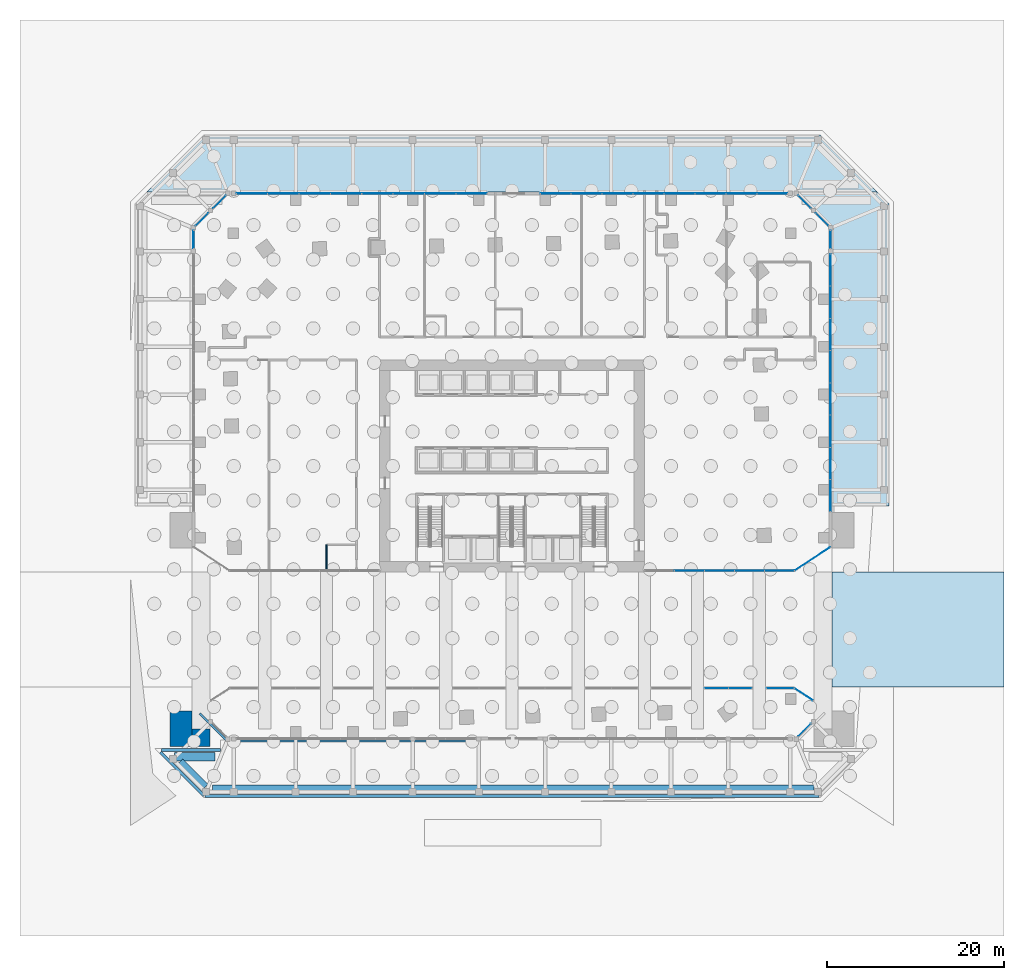
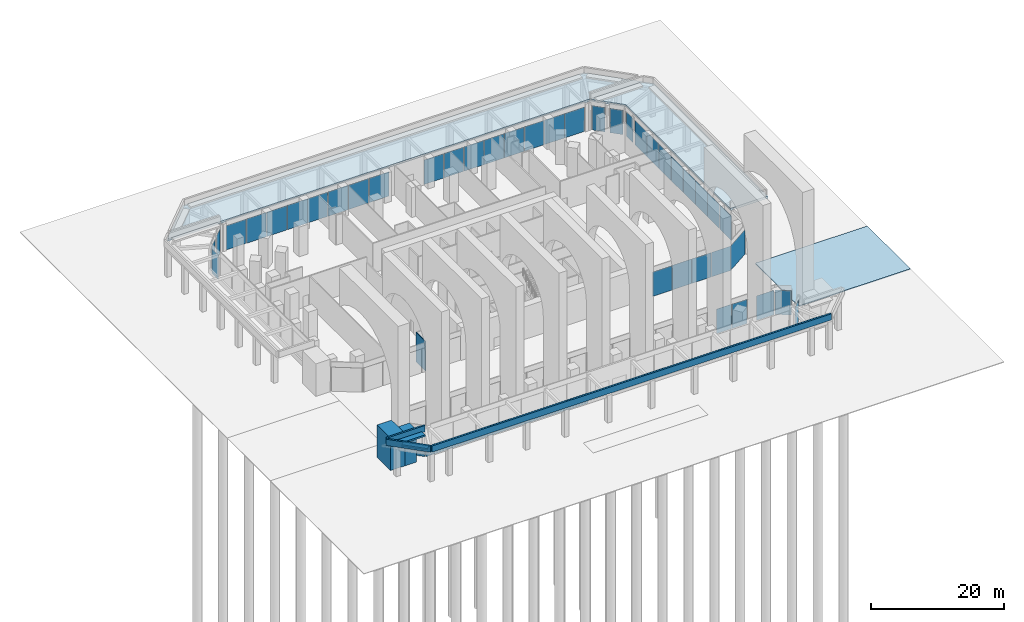
# One storey, part 37 of 46: 40 plates, 11 walls, 3 slabs, 15 elements without a shape of their own.
"""IFC4 building model written with IfcOpenShell, lengths in metres."""

from ifc_helpers import new_model, si_unit, direction, frame, frame_2d, origin, origin_2d, place, context, subcontext, project, spatial, polyline, rectangle, outline, extrude, material, layer, layer_set, type_object, element, aggregate, save


model = new_model("IFC4")

# Units and contexts
model_context = context("Model", 3, precision=1e-05, world=origin(), true_north=direction((0.0, 1.0)))
body_context = subcontext(model_context, "Body", "Model", "MODEL_VIEW")
ifc_project = project(units=[si_unit("LENGTHUNIT", "METRE"), si_unit("AREAUNIT", "SQUARE_METRE"), si_unit("VOLUMEUNIT", "CUBIC_METRE"), si_unit("PLANEANGLEUNIT", "RADIAN"), si_unit("MASSUNIT", "GRAM", prefix="KILO")], contexts=[model_context])

# Site, building, storey
site_placement = place(None, origin())
site = spatial("IfcSite", under=ifc_project, at=site_placement, CompositionType="ELEMENT")
building_placement = place(site_placement, origin())
building = spatial("IfcBuilding", under=site, at=building_placement, Name="Mangrove Gate Tower", CompositionType="ELEMENT")
storey_placement = place(building_placement, origin())
storey = spatial("IfcBuildingStorey", under=building, at=storey_placement, Name="L00", CompositionType="ELEMENT", Elevation=0.0)

# Slabs
ifc_material_1 = material(Name="Concrete C40/50", Category="concrete")
ifc_layer_1 = layer(ifc_material_1, 0.419921875)
ifc_layer_set_1 = layer_set([ifc_layer_1], Name="Canopy slab 420 C40/50")
slab_type_1 = type_object("IfcSlabType", Name="Canopy slab 420 C40/50", PredefinedType="ROOF", material=ifc_layer_set_1)
slab_1_placement = place(storey_placement, frame((0.0, 0.0, 5.080078125)))
element("IfcSlab", 1, at=slab_1_placement, inside=storey, type_object=slab_type_1, Name="Canopy slab E", PredefinedType="ROOF", context=body_context, shape_type="SweptSolid", body=[
    extrude(outline(polyline([(32.199951171875, 31.0), (36.199951171875, 27.0), (36.199951171875, -4.5), (42.699951171875, -4.5), (42.699951171875, 29.69189453125), (41.39208984375, 31.0), (32.199951171875, 31.0)])), origin(), (0.0, 0.0, 1.0), 0.419921875),
])
slab_2_placement = place(storey_placement, frame((0.0, 0.0, 5.080078125)))
element("IfcSlab", 2, at=slab_2_placement, inside=storey, type_object=slab_type_1, Name="Canopy slab N", PredefinedType="ROOF", context=body_context, shape_type="SweptSolid", body=[
    extrude(outline(polyline([(34.89208984375, 37.5), (-34.89208984375, 37.5), (-41.39208984375, 31.0), (41.39208984375, 31.0), (34.89208984375, 37.5)])), origin(), (0.0, 0.0, 1.0), 0.419921875),
])

# Curtain wall, plate
ifc_material_2 = material(Name="Aluminium and glass curtain wall", Category="aluminium")
curtain_wall_type = type_object("IfcCurtainWallType", Name="Podium shopfront glazing wall", PredefinedType="NOTDEFINED", material=ifc_material_2)
curtain_wall_1_placement = place(storey_placement, origin())
curtain_wall_1 = element("IfcCurtainWall", 3, at=curtain_wall_1_placement, inside=storey, type_object=curtain_wall_type, Name="Podium shopfront glazing N0s1", PredefinedType="NOTDEFINED")
ifc_material_3 = material(Name="Laminated low-e glass", Category="glass")
ifc_layer_2 = layer(ifc_material_3, 0.02392578125)
ifc_layer_set_2 = layer_set([ifc_layer_2], Name="Podium shopfront glazing panel 24")
plate_type = type_object("IfcPlateType", Name="Podium shopfront glazing panel 24", PredefinedType="CURTAIN_PANEL", material=ifc_layer_set_2)
plate_1_placement = place(storey_placement, frame((33.03759765625, -25.858642578125, 0.0), z_axis=(0.0, 0.0, 1.0), x_axis=(-0.836658727453, 0.547724541879, 0.0)))
plate_1 = element("IfcPlate", 4, at=plate_1_placement, type_object=plate_type, Name="CWS panel 1.1", PredefinedType="CURTAIN_PANEL", context=body_context, shape_type="SweptSolid", body=[
    extrude(rectangle(XDim=2.46728515625, YDim=0.02392578125, at=origin_2d()), origin(), (0.0, 0.0, 1.0), 4.510009765625),
])
aggregate(curtain_wall_1, [plate_1])

curtain_wall_2_placement = place(storey_placement, origin())
curtain_wall_2 = element("IfcCurtainWall", 5, at=curtain_wall_2_placement, inside=storey, type_object=curtain_wall_type, Name="Podium shopfront glazing N1s1", PredefinedType="NOTDEFINED")
plate_2_placement = place(storey_placement, frame((30.36767578125, -25.14990234375, 0.0), z_axis=(0.0, 0.0, 1.0), x_axis=(-1.0, 0.0, 0.0)))
plate_2 = element("IfcPlate", 6, at=plate_2_placement, type_object=plate_type, Name="CWS panel 1.1", PredefinedType="CURTAIN_PANEL", context=body_context, shape_type="SweptSolid", body=[
    extrude(rectangle(XDim=3.05517578125, YDim=0.02392578125, at=origin_2d()), origin(), (0.0, 0.0, 1.0), 4.510009765625),
])
aggregate(curtain_wall_2, [plate_2])

# Curtain wall, plates
curtain_wall_3_placement = place(storey_placement, origin())
curtain_wall_3 = element("IfcCurtainWall", 7, at=curtain_wall_3_placement, inside=storey, type_object=curtain_wall_type, Name="Podium shopfront glazing N4011s1", PredefinedType="NOTDEFINED")
plate_3_placement = place(storey_placement, frame((25.844970703125, -25.14990234375, 0.0), z_axis=(0.0, 0.0, 1.0), x_axis=(-1.0, 0.0, 0.0)))
plate_3 = element("IfcPlate", 8, at=plate_3_placement, type_object=plate_type, Name="CWS panel 1.1", PredefinedType="CURTAIN_PANEL", context=body_context, shape_type="SweptSolid", body=[
    extrude(rectangle(XDim=2.6298828125, YDim=0.02392578125, at=origin_2d()), origin(), (0.0, 0.0, 1.0), 4.510009765625),
])
plate_4_placement = place(storey_placement, frame((23.155029296875, -25.14990234375, 0.0), z_axis=(0.0, 0.0, 1.0), x_axis=(-1.0, 0.0, 0.0)))
plate_4 = element("IfcPlate", 9, at=plate_4_placement, type_object=plate_type, Name="CWS panel 2.1", PredefinedType="CURTAIN_PANEL", context=body_context, shape_type="SweptSolid", body=[
    extrude(rectangle(XDim=2.6298828125, YDim=0.02392578125, at=origin_2d()), origin(), (0.0, 0.0, 1.0), 4.510009765625),
])
aggregate(curtain_wall_3, [plate_3, plate_4])

# Curtain wall, plate
curtain_wall_4_placement = place(storey_placement, origin())
curtain_wall_4 = element("IfcCurtainWall", 10, at=curtain_wall_4_placement, inside=storey, type_object=curtain_wall_type, Name="Podium shopfront glazing E5s1", PredefinedType="NOTDEFINED")
plate_5_placement = place(storey_placement, frame((33.104736328125, -29.883056640625, 0.0), z_axis=(0.0, 0.0, 1.0), x_axis=(0.707106781187, 0.707106781187, 0.0)))
plate_5 = element("IfcPlate", 11, at=plate_5_placement, type_object=plate_type, Name="CWS panel 1.1", PredefinedType="CURTAIN_PANEL", context=body_context, shape_type="SweptSolid", body=[
    extrude(rectangle(XDim=1.98583984375, YDim=0.02392578125, at=origin_2d()), origin(), (0.0, 0.0, 1.0), 4.510009765625),
])
aggregate(curtain_wall_4, [plate_5])

# Curtain wall, plates
curtain_wall_5_placement = place(storey_placement, origin())
curtain_wall_5 = element("IfcCurtainWall", 12, at=curtain_wall_5_placement, inside=storey, type_object=curtain_wall_type, Name="Podium shopfront glazing S8s1", PredefinedType="NOTDEFINED")
plate_6_placement = place(storey_placement, frame((20.10009765625, -11.85009765625, 0.0), z_axis=(0.0, 0.0, 1.0), x_axis=(1.0, 0.0, 0.0)))
plate_6 = element("IfcPlate", 13, at=plate_6_placement, type_object=plate_type, Name="CWS panel 2.1", PredefinedType="CURTAIN_PANEL", context=body_context, shape_type="SweptSolid", body=[
    extrude(rectangle(XDim=3.340087890625, YDim=0.02392578125, at=origin_2d()), origin(), (0.0, 0.0, 1.0), 4.510009765625),
])
plate_7_placement = place(storey_placement, frame((23.5, -11.85009765625, 0.0), z_axis=(0.0, 0.0, 1.0), x_axis=(1.0, 0.0, 0.0)))
plate_7 = element("IfcPlate", 14, at=plate_7_placement, type_object=plate_type, Name="CWS panel 3.1", PredefinedType="CURTAIN_PANEL", context=body_context, shape_type="SweptSolid", body=[
    extrude(rectangle(XDim=3.340087890625, YDim=0.02392578125, at=origin_2d()), origin(), (0.0, 0.0, 1.0), 4.510009765625),
])
plate_8_placement = place(storey_placement, frame((26.89990234375, -11.85009765625, 0.0), z_axis=(0.0, 0.0, 1.0), x_axis=(1.0, 0.0, 0.0)))
plate_8 = element("IfcPlate", 15, at=plate_8_placement, type_object=plate_type, Name="CWS panel 4.1", PredefinedType="CURTAIN_PANEL", context=body_context, shape_type="SweptSolid", body=[
    extrude(rectangle(XDim=3.340087890625, YDim=0.02392578125, at=origin_2d()), origin(), (0.0, 0.0, 1.0), 4.510009765625),
])
plate_9_placement = place(storey_placement, frame((30.284912109375, -11.85009765625, 0.0), z_axis=(0.0, 0.0, 1.0), x_axis=(1.0, 0.0, 0.0)))
plate_9 = element("IfcPlate", 16, at=plate_9_placement, type_object=plate_type, Name="CWS panel 5.1", PredefinedType="CURTAIN_PANEL", context=body_context, shape_type="SweptSolid", body=[
    extrude(rectangle(XDim=3.31005859375, YDim=0.02392578125, at=origin_2d()), origin(), (0.0, 0.0, 1.0), 4.510009765625),
])
aggregate(curtain_wall_5, [plate_6, plate_7, plate_8, plate_9])

# Curtain wall, plate
curtain_wall_6_placement = place(storey_placement, origin())
curtain_wall_6 = element("IfcCurtainWall", 17, at=curtain_wall_6_placement, inside=storey, type_object=curtain_wall_type, Name="Podium shopfront glazing S9s1", PredefinedType="NOTDEFINED")
plate_10_placement = place(storey_placement, frame((34.002685546875, -10.509521484375, 0.0), z_axis=(0.0, 0.0, 1.0), x_axis=(0.836618528559, 0.54778594147, 0.0)))
plate_10 = element("IfcPlate", 18, at=plate_10_placement, type_object=plate_type, Name="CWS panel 1.1", PredefinedType="CURTAIN_PANEL", context=body_context, shape_type="SweptSolid", body=[
    extrude(rectangle(XDim=4.7744140625, YDim=0.02392578125, at=origin_2d()), origin(), (0.0, 0.0, 1.0), 4.510009765625),
])
aggregate(curtain_wall_6, [plate_10])

# Curtain wall, plates
curtain_wall_7_placement = place(storey_placement, origin())
curtain_wall_7 = element("IfcCurtainWall", 19, at=curtain_wall_7_placement, inside=storey, type_object=curtain_wall_type, Name="Podium shopfront glazing E10s1", PredefinedType="NOTDEFINED")
plate_11_placement = place(storey_placement, frame((36.050048828125, -3.344482421875, 0.0), z_axis=(0.0, 0.0, 1.0), x_axis=(0.0, 1.0, 0.0)))
plate_11 = element("IfcPlate", 20, at=plate_11_placement, type_object=plate_type, Name="CWS panel 1.1", PredefinedType="CURTAIN_PANEL", context=body_context, shape_type="SweptSolid", body=[
    extrude(rectangle(XDim=3.560546875, YDim=0.02392578125, at=origin_2d()), origin(), (0.0, 0.0, 1.0), 4.510009765625),
])
plate_12_placement = place(storey_placement, frame((36.050048828125, 0.291259765625, 0.0), z_axis=(0.0, 0.0, 1.0), x_axis=(0.0, 1.0, 0.0)))
plate_12 = element("IfcPlate", 21, at=plate_12_placement, type_object=plate_type, Name="CWS panel 2.1", PredefinedType="CURTAIN_PANEL", context=body_context, shape_type="SweptSolid", body=[
    extrude(rectangle(XDim=3.590576171875, YDim=0.02392578125, at=origin_2d()), origin(), (0.0, 0.0, 1.0), 4.510009765625),
])
plate_13_placement = place(storey_placement, frame((36.050048828125, 3.941650390625, 0.0), z_axis=(0.0, 0.0, 1.0), x_axis=(0.0, 1.0, 0.0)))
plate_13 = element("IfcPlate", 22, at=plate_13_placement, type_object=plate_type, Name="CWS panel 3.1", PredefinedType="CURTAIN_PANEL", context=body_context, shape_type="SweptSolid", body=[
    extrude(rectangle(XDim=3.590576171875, YDim=0.02392578125, at=origin_2d()), origin(), (0.0, 0.0, 1.0), 4.510009765625),
])
plate_14_placement = place(storey_placement, frame((36.050048828125, 7.59228515625, 0.0), z_axis=(0.0, 0.0, 1.0), x_axis=(0.0, 1.0, 0.0)))
plate_14 = element("IfcPlate", 23, at=plate_14_placement, type_object=plate_type, Name="CWS panel 4.1", PredefinedType="CURTAIN_PANEL", context=body_context, shape_type="SweptSolid", body=[
    extrude(rectangle(XDim=3.590576171875, YDim=0.02392578125, at=origin_2d()), origin(), (0.0, 0.0, 1.0), 4.510009765625),
])
plate_15_placement = place(storey_placement, frame((36.050048828125, 11.242919921875, 0.0), z_axis=(0.0, 0.0, 1.0), x_axis=(0.0, 1.0, 0.0)))
plate_15 = element("IfcPlate", 24, at=plate_15_placement, type_object=plate_type, Name="CWS panel 5.1", PredefinedType="CURTAIN_PANEL", context=body_context, shape_type="SweptSolid", body=[
    extrude(rectangle(XDim=3.590576171875, YDim=0.02392578125, at=origin_2d()), origin(), (0.0, 0.0, 1.0), 4.510009765625),
])
plate_16_placement = place(storey_placement, frame((36.050048828125, 14.8935546875, 0.0), z_axis=(0.0, 0.0, 1.0), x_axis=(0.0, 1.0, 0.0)))
plate_16 = element("IfcPlate", 25, at=plate_16_placement, type_object=plate_type, Name="CWS panel 6.1", PredefinedType="CURTAIN_PANEL", context=body_context, shape_type="SweptSolid", body=[
    extrude(rectangle(XDim=3.590576171875, YDim=0.02392578125, at=origin_2d()), origin(), (0.0, 0.0, 1.0), 4.510009765625),
])
plate_17_placement = place(storey_placement, frame((36.050048828125, 18.544189453125, 0.0), z_axis=(0.0, 0.0, 1.0), x_axis=(0.0, 1.0, 0.0)))
plate_17 = element("IfcPlate", 26, at=plate_17_placement, type_object=plate_type, Name="CWS panel 7.1", PredefinedType="CURTAIN_PANEL", context=body_context, shape_type="SweptSolid", body=[
    extrude(rectangle(XDim=3.590576171875, YDim=0.02392578125, at=origin_2d()), origin(), (0.0, 0.0, 1.0), 4.510009765625),
])
plate_18_placement = place(storey_placement, frame((36.050048828125, 22.1796875, 0.0), z_axis=(0.0, 0.0, 1.0), x_axis=(0.0, 1.0, 0.0)))
plate_18 = element("IfcPlate", 27, at=plate_18_placement, type_object=plate_type, Name="CWS panel 8.1", PredefinedType="CURTAIN_PANEL", context=body_context, shape_type="SweptSolid", body=[
    extrude(rectangle(XDim=3.560546875, YDim=0.02392578125, at=origin_2d()), origin(), (0.0, 0.0, 1.0), 4.510009765625),
])
aggregate(curtain_wall_7, [plate_11, plate_12, plate_13, plate_14, plate_15, plate_16, plate_17, plate_18])

# Curtain wall, plate
curtain_wall_8_placement = place(storey_placement, origin())
curtain_wall_8 = element("IfcCurtainWall", 28, at=curtain_wall_8_placement, inside=storey, type_object=curtain_wall_type, Name="Podium shopfront glazing E10s2", PredefinedType="NOTDEFINED")
plate_19_placement = place(storey_placement, frame((36.050048828125, 25.630859375, 0.0), z_axis=(0.0, 0.0, 1.0), x_axis=(0.0, 1.0, 0.0)))
plate_19 = element("IfcPlate", 29, at=plate_19_placement, type_object=plate_type, Name="CWS panel 1.1", PredefinedType="CURTAIN_PANEL", context=body_context, shape_type="SweptSolid", body=[
    extrude(rectangle(XDim=1.981689453125, YDim=0.02392578125, at=origin_2d()), origin(), (0.0, 0.0, 1.0), 4.510009765625),
])
aggregate(curtain_wall_8, [plate_19])

curtain_wall_9_placement = place(storey_placement, origin())
curtain_wall_9 = element("IfcCurtainWall", 30, at=curtain_wall_9_placement, inside=storey, type_object=curtain_wall_type, Name="Podium shopfront glazing E11s1", PredefinedType="NOTDEFINED")
plate_20_placement = place(storey_placement, frame((35.0830078125, 27.90478515625, 0.0), z_axis=(0.0, 0.0, 1.0), x_axis=(-0.707106781187, 0.707106781187, 0.0)))
plate_20 = element("IfcPlate", 31, at=plate_20_placement, type_object=plate_type, Name="CWS panel 1.1", PredefinedType="CURTAIN_PANEL", context=body_context, shape_type="SweptSolid", body=[
    extrude(rectangle(XDim=1.98583984375, YDim=0.02392578125, at=origin_2d()), origin(), (0.0, 0.0, 1.0), 4.510009765625),
])
aggregate(curtain_wall_9, [plate_20])

curtain_wall_10_placement = place(storey_placement, origin())
curtain_wall_10 = element("IfcCurtainWall", 32, at=curtain_wall_10_placement, inside=storey, type_object=curtain_wall_type, Name="Podium shopfront glazing E11s2", PredefinedType="NOTDEFINED")
plate_21_placement = place(storey_placement, frame((33.104736328125, 29.883056640625, 0.0), z_axis=(0.0, 0.0, 1.0), x_axis=(-0.707106781187, 0.707106781187, 0.0)))
plate_21 = element("IfcPlate", 33, at=plate_21_placement, type_object=plate_type, Name="CWS panel 1.1", PredefinedType="CURTAIN_PANEL", context=body_context, shape_type="SweptSolid", body=[
    extrude(rectangle(XDim=1.98583984375, YDim=0.02392578125, at=origin_2d()), origin(), (0.0, 0.0, 1.0), 4.510009765625),
])
aggregate(curtain_wall_10, [plate_21])

# Curtain wall, plates
curtain_wall_11_placement = place(storey_placement, origin())
curtain_wall_11 = element("IfcCurtainWall", 34, at=curtain_wall_11_placement, inside=storey, type_object=curtain_wall_type, Name="Podium shopfront glazing N12s1", PredefinedType="NOTDEFINED")
plate_22_placement = place(storey_placement, frame((29.453857421875, 30.85009765625, 0.0), z_axis=(0.0, 0.0, 1.0), x_axis=(-1.0, 0.0, 0.0)))
plate_22 = element("IfcPlate", 35, at=plate_22_placement, type_object=plate_type, Name="CWS panel 1.1", PredefinedType="CURTAIN_PANEL", context=body_context, shape_type="SweptSolid", body=[
    extrude(rectangle(XDim=3.41259765625, YDim=0.02392578125, at=origin_2d()), origin(), (0.0, 0.0, 1.0), 4.510009765625),
])
plate_23_placement = place(storey_placement, frame((25.96630859375, 30.85009765625, 0.0), z_axis=(0.0, 0.0, 1.0), x_axis=(-1.0, 0.0, 0.0)))
plate_23 = element("IfcPlate", 36, at=plate_23_placement, type_object=plate_type, Name="CWS panel 2.1", PredefinedType="CURTAIN_PANEL", context=body_context, shape_type="SweptSolid", body=[
    extrude(rectangle(XDim=3.4423828125, YDim=0.02392578125, at=origin_2d()), origin(), (0.0, 0.0, 1.0), 4.510009765625),
])
plate_24_placement = place(storey_placement, frame((22.4638671875, 30.85009765625, 0.0), z_axis=(0.0, 0.0, 1.0), x_axis=(-1.0, 0.0, 0.0)))
plate_24 = element("IfcPlate", 37, at=plate_24_placement, type_object=plate_type, Name="CWS panel 3.1", PredefinedType="CURTAIN_PANEL", context=body_context, shape_type="SweptSolid", body=[
    extrude(rectangle(XDim=3.4423828125, YDim=0.02392578125, at=origin_2d()), origin(), (0.0, 0.0, 1.0), 4.510009765625),
])
plate_25_placement = place(storey_placement, frame((18.961181640625, 30.85009765625, 0.0), z_axis=(0.0, 0.0, 1.0), x_axis=(-1.0, 0.0, 0.0)))
plate_25 = element("IfcPlate", 38, at=plate_25_placement, type_object=plate_type, Name="CWS panel 4.1", PredefinedType="CURTAIN_PANEL", context=body_context, shape_type="SweptSolid", body=[
    extrude(rectangle(XDim=3.4423828125, YDim=0.02392578125, at=origin_2d()), origin(), (0.0, 0.0, 1.0), 4.510009765625),
])
plate_26_placement = place(storey_placement, frame((15.458740234375, 30.85009765625, 0.0), z_axis=(0.0, 0.0, 1.0), x_axis=(-1.0, 0.0, 0.0)))
plate_26 = element("IfcPlate", 39, at=plate_26_placement, type_object=plate_type, Name="CWS panel 5.1", PredefinedType="CURTAIN_PANEL", context=body_context, shape_type="SweptSolid", body=[
    extrude(rectangle(XDim=3.4423828125, YDim=0.02392578125, at=origin_2d()), origin(), (0.0, 0.0, 1.0), 4.510009765625),
])
plate_27_placement = place(storey_placement, frame((11.956298828125, 30.85009765625, 0.0), z_axis=(0.0, 0.0, 1.0), x_axis=(-1.0, 0.0, 0.0)))
plate_27 = element("IfcPlate", 40, at=plate_27_placement, type_object=plate_type, Name="CWS panel 6.1", PredefinedType="CURTAIN_PANEL", context=body_context, shape_type="SweptSolid", body=[
    extrude(rectangle(XDim=3.4423828125, YDim=0.02392578125, at=origin_2d()), origin(), (0.0, 0.0, 1.0), 4.510009765625),
])
plate_28_placement = place(storey_placement, frame((8.453857421875, 30.85009765625, 0.0), z_axis=(0.0, 0.0, 1.0), x_axis=(-1.0, 0.0, 0.0)))
plate_28 = element("IfcPlate", 41, at=plate_28_placement, type_object=plate_type, Name="CWS panel 7.1", PredefinedType="CURTAIN_PANEL", context=body_context, shape_type="SweptSolid", body=[
    extrude(rectangle(XDim=3.4423828125, YDim=0.02392578125, at=origin_2d()), origin(), (0.0, 0.0, 1.0), 4.510009765625),
])
plate_29_placement = place(storey_placement, frame((4.96630859375, 30.85009765625, 0.0), z_axis=(0.0, 0.0, 1.0), x_axis=(-1.0, 0.0, 0.0)))
plate_29 = element("IfcPlate", 42, at=plate_29_placement, type_object=plate_type, Name="CWS panel 8.1", PredefinedType="CURTAIN_PANEL", context=body_context, shape_type="SweptSolid", body=[
    extrude(rectangle(XDim=3.41259765625, YDim=0.02392578125, at=origin_2d()), origin(), (0.0, 0.0, 1.0), 4.510009765625),
])
aggregate(curtain_wall_11, [plate_22, plate_23, plate_24, plate_25, plate_26, plate_27, plate_28, plate_29])

curtain_wall_12_placement = place(storey_placement, origin())
curtain_wall_12 = element("IfcCurtainWall", 43, at=curtain_wall_12_placement, inside=storey, type_object=curtain_wall_type, Name="Podium shopfront glazing N12s2", PredefinedType="NOTDEFINED")
plate_30_placement = place(storey_placement, frame((-4.59130859375, 30.85009765625, 0.0), z_axis=(0.0, 0.0, 1.0), x_axis=(-1.0, 0.0, 0.0)))
plate_30 = element("IfcPlate", 44, at=plate_30_placement, type_object=plate_type, Name="CWS panel 1.1", PredefinedType="CURTAIN_PANEL", context=body_context, shape_type="SweptSolid", body=[
    extrude(rectangle(XDim=3.46240234375, YDim=0.02392578125, at=origin_2d()), origin(), (0.0, 0.0, 1.0), 4.510009765625),
])
plate_31_placement = place(storey_placement, frame((-8.128662109375, 30.85009765625, 0.0), z_axis=(0.0, 0.0, 1.0), x_axis=(-1.0, 0.0, 0.0)))
plate_31 = element("IfcPlate", 45, at=plate_31_placement, type_object=plate_type, Name="CWS panel 2.1", PredefinedType="CURTAIN_PANEL", context=body_context, shape_type="SweptSolid", body=[
    extrude(rectangle(XDim=3.492431640625, YDim=0.02392578125, at=origin_2d()), origin(), (0.0, 0.0, 1.0), 4.510009765625),
])
plate_32_placement = place(storey_placement, frame((-11.68115234375, 30.85009765625, 0.0), z_axis=(0.0, 0.0, 1.0), x_axis=(-1.0, 0.0, 0.0)))
plate_32 = element("IfcPlate", 46, at=plate_32_placement, type_object=plate_type, Name="CWS panel 3.1", PredefinedType="CURTAIN_PANEL", context=body_context, shape_type="SweptSolid", body=[
    extrude(rectangle(XDim=3.492431640625, YDim=0.02392578125, at=origin_2d()), origin(), (0.0, 0.0, 1.0), 4.510009765625),
])
plate_33_placement = place(storey_placement, frame((-15.233642578125, 30.85009765625, 0.0), z_axis=(0.0, 0.0, 1.0), x_axis=(-1.0, 0.0, 0.0)))
plate_33 = element("IfcPlate", 47, at=plate_33_placement, type_object=plate_type, Name="CWS panel 4.1", PredefinedType="CURTAIN_PANEL", context=body_context, shape_type="SweptSolid", body=[
    extrude(rectangle(XDim=3.492431640625, YDim=0.02392578125, at=origin_2d()), origin(), (0.0, 0.0, 1.0), 4.510009765625),
])
plate_34_placement = place(storey_placement, frame((-18.7861328125, 30.85009765625, 0.0), z_axis=(0.0, 0.0, 1.0), x_axis=(-1.0, 0.0, 0.0)))
plate_34 = element("IfcPlate", 48, at=plate_34_placement, type_object=plate_type, Name="CWS panel 5.1", PredefinedType="CURTAIN_PANEL", context=body_context, shape_type="SweptSolid", body=[
    extrude(rectangle(XDim=3.492431640625, YDim=0.02392578125, at=origin_2d()), origin(), (0.0, 0.0, 1.0), 4.510009765625),
])
plate_35_placement = place(storey_placement, frame((-22.3388671875, 30.85009765625, 0.0), z_axis=(0.0, 0.0, 1.0), x_axis=(-1.0, 0.0, 0.0)))
plate_35 = element("IfcPlate", 49, at=plate_35_placement, type_object=plate_type, Name="CWS panel 6.1", PredefinedType="CURTAIN_PANEL", context=body_context, shape_type="SweptSolid", body=[
    extrude(rectangle(XDim=3.492431640625, YDim=0.02392578125, at=origin_2d()), origin(), (0.0, 0.0, 1.0), 4.510009765625),
])
plate_36_placement = place(storey_placement, frame((-25.891357421875, 30.85009765625, 0.0), z_axis=(0.0, 0.0, 1.0), x_axis=(-1.0, 0.0, 0.0)))
plate_36 = element("IfcPlate", 50, at=plate_36_placement, type_object=plate_type, Name="CWS panel 7.1", PredefinedType="CURTAIN_PANEL", context=body_context, shape_type="SweptSolid", body=[
    extrude(rectangle(XDim=3.492431640625, YDim=0.02392578125, at=origin_2d()), origin(), (0.0, 0.0, 1.0), 4.510009765625),
])
plate_37_placement = place(storey_placement, frame((-29.4287109375, 30.85009765625, 0.0), z_axis=(0.0, 0.0, 1.0), x_axis=(-1.0, 0.0, 0.0)))
plate_37 = element("IfcPlate", 51, at=plate_37_placement, type_object=plate_type, Name="CWS panel 8.1", PredefinedType="CURTAIN_PANEL", context=body_context, shape_type="SweptSolid", body=[
    extrude(rectangle(XDim=3.46240234375, YDim=0.02392578125, at=origin_2d()), origin(), (0.0, 0.0, 1.0), 4.510009765625),
])
aggregate(curtain_wall_12, [plate_30, plate_31, plate_32, plate_33, plate_34, plate_35, plate_36, plate_37])

# Curtain wall, plate
curtain_wall_13_placement = place(storey_placement, origin())
curtain_wall_13 = element("IfcCurtainWall", 52, at=curtain_wall_13_placement, inside=storey, type_object=curtain_wall_type, Name="Podium shopfront glazing N13s1", PredefinedType="NOTDEFINED")
plate_38_placement = place(storey_placement, frame((-33.104736328125, 29.883056640625, 0.0), z_axis=(0.0, 0.0, 1.0), x_axis=(-0.707106781187, -0.707106781187, 0.0)))
plate_38 = element("IfcPlate", 53, at=plate_38_placement, type_object=plate_type, Name="CWS panel 1.1", PredefinedType="CURTAIN_PANEL", context=body_context, shape_type="SweptSolid", body=[
    extrude(rectangle(XDim=1.98583984375, YDim=0.02392578125, at=origin_2d()), origin(), (0.0, 0.0, 1.0), 4.510009765625),
])
aggregate(curtain_wall_13, [plate_38])

curtain_wall_14_placement = place(storey_placement, origin())
curtain_wall_14 = element("IfcCurtainWall", 54, at=curtain_wall_14_placement, inside=storey, type_object=curtain_wall_type, Name="Podium shopfront glazing N13s2", PredefinedType="NOTDEFINED")
plate_39_placement = place(storey_placement, frame((-35.0830078125, 27.90478515625, 0.0), z_axis=(0.0, 0.0, 1.0), x_axis=(-0.707106781187, -0.707106781187, 0.0)))
plate_39 = element("IfcPlate", 55, at=plate_39_placement, type_object=plate_type, Name="CWS panel 1.1", PredefinedType="CURTAIN_PANEL", context=body_context, shape_type="SweptSolid", body=[
    extrude(rectangle(XDim=1.98583984375, YDim=0.02392578125, at=origin_2d()), origin(), (0.0, 0.0, 1.0), 4.510009765625),
])
aggregate(curtain_wall_14, [plate_39])

curtain_wall_15_placement = place(storey_placement, origin())
curtain_wall_15 = element("IfcCurtainWall", 56, at=curtain_wall_15_placement, inside=storey, type_object=curtain_wall_type, Name="Podium shopfront glazing W14s1", PredefinedType="NOTDEFINED")
plate_40_placement = place(storey_placement, frame((-36.050048828125, 25.630859375, 0.0), z_axis=(0.0, 0.0, 1.0), x_axis=(0.0, -1.0, 0.0)))
plate_40 = element("IfcPlate", 57, at=plate_40_placement, type_object=plate_type, Name="CWS panel 1.1", PredefinedType="CURTAIN_PANEL", context=body_context, shape_type="SweptSolid", body=[
    extrude(rectangle(XDim=1.981689453125, YDim=0.02392578125, at=origin_2d()), origin(), (0.0, 0.0, 1.0), 4.510009765625),
])
aggregate(curtain_wall_15, [plate_40])

# Slab
ifc_material_4 = material(Name="Asphalt")
ifc_layer_3 = layer(ifc_material_4, 0.0400390625, Name="Wearing course")
ifc_material_5 = material(Name="Asphalt binder")
ifc_layer_4 = layer(ifc_material_5, 0.050048828125, Name="Binder course")
ifc_material_6 = material(Name="Compacted crushed stone", Category="masonry")
ifc_layer_5 = layer(ifc_material_6, 0.06005859375, Name="Sub-base")
ifc_layer_set_3 = layer_set([ifc_layer_3, ifc_layer_4, ifc_layer_5], Name="Street paving 150 asphalt")
slab_type_2 = type_object("IfcSlabType", Name="Street paving 150 asphalt", PredefinedType="USERDEFINED", material=ifc_layer_set_3)
slab_3_placement = place(storey_placement, frame((0.0, 0.0, -0.14990234375)))
element("IfcSlab", 58, at=slab_3_placement, inside=storey, type_object=slab_type_2, Name="STREET PAVING E", ObjectType="PAVING", PredefinedType="USERDEFINED", context=body_context, shape_type="SweptSolid", body=[
    extrude(outline(polyline([(55.699951171875, -25.0), (36.199951171875, -25.0), (36.199951171875, -12.0), (55.699951171875, -12.0), (55.699951171875, -25.0)])), origin(), (0.0, 0.0, 1.0), 0.14990234375),
])

# Walls
ifc_material_7 = material(Name="Limestone", Category="masonry")
ifc_layer_6 = layer(ifc_material_7, 0.300048828125, Name="Limestone canopy parapet")
ifc_layer_set_4 = layer_set([ifc_layer_6], Name="Canopy parapet 300 limestone")
wall_type_1 = type_object("IfcWallType", Name="Canopy parapet 300 limestone", PredefinedType="PARAPET", material=ifc_layer_set_4)
wall_1_placement = place(storey_placement, frame((-33.0, -32.14990234375, 5.5), z_axis=(0.0, 0.0, 1.0), x_axis=(-1.0, 0.0, 0.0)))
element("IfcWall", 59, at=wall_1_placement, inside=storey, type_object=wall_type_1, Name="Canopy parapet S 0.1", PredefinedType="PARAPET", context=body_context, shape_type="SweptSolid", body=[
    extrude(rectangle(XDim=6.66796875, YDim=0.300048828125, at=frame_2d((3.333984375, 0.0))), origin(), (0.0, 0.0, 1.0), 1.14990234375),
])
wall_2_placement = place(storey_placement, frame((-39.77392578125, -32.406005859375, 5.5), z_axis=(0.0, 0.0, 1.0), x_axis=(0.707106781187, -0.707106781187, 0.0)))
element("IfcWall", 60, at=wall_2_placement, inside=storey, type_object=wall_type_1, Name="Canopy parapet S 0.2", PredefinedType="PARAPET", context=body_context, shape_type="SweptSolid", body=[
    extrude(rectangle(XDim=6.929443359375, YDim=0.300048828125, at=frame_2d((3.46484375, 0.0))), origin(), (0.0, 0.0, 1.0), 1.14990234375),
])
wall_3_placement = place(storey_placement, frame((-34.76806640625, -37.35009765625, 5.5), z_axis=(0.0, 0.0, 1.0), x_axis=(1.0, 0.0, 0.0)))
element("IfcWall", 61, at=wall_3_placement, inside=storey, type_object=wall_type_1, Name="Canopy parapet S 0.3", PredefinedType="PARAPET", context=body_context, shape_type="SweptSolid", body=[
    extrude(rectangle(XDim=69.5361328125, YDim=0.300048828125, at=frame_2d((34.76806640625, 0.0))), origin(), (0.0, 0.0, 1.0), 1.14990234375),
])
ifc_material_8 = material(Name="Green roof substrate in aluminium tray", Category="aluminium")
ifc_layer_7 = layer(ifc_material_8, 1.0, Name="Planting bed")
ifc_layer_set_5 = layer_set([ifc_layer_7], Name="Canopy planter bed 1000x300")
wall_type_2 = type_object("IfcWallType", Name="Canopy planter bed 1000x300", PredefinedType="SOLIDWALL", material=ifc_layer_set_5)
wall_4_placement = place(storey_placement, frame((-33.60009765625, -32.89990234375, 5.5), z_axis=(0.0, 0.0, 1.0), x_axis=(-1.0, 0.0, 0.0)))
element("IfcWall", 62, at=wall_4_placement, inside=storey, type_object=wall_type_2, Name="CANOPY PLANTING S 0.1", PredefinedType="SOLIDWALL", context=body_context, shape_type="SweptSolid", body=[
    extrude(rectangle(XDim=4.617919921875, YDim=1.0, at=frame_2d((2.30908203125, 0.0))), origin(), (0.0, 0.0, 1.0), 0.300048828125),
])
wall_5_placement = place(storey_placement, frame((-37.616943359375, -33.501953125, 5.5), z_axis=(0.0, 0.0, 1.0), x_axis=(0.707076483319, -0.707137077756, 0.0)))
element("IfcWall", 63, at=wall_5_placement, inside=storey, type_object=wall_type_2, Name="CANOPY PLANTING S 0.2", PredefinedType="SOLIDWALL", context=body_context, shape_type="SweptSolid", body=[
    extrude(rectangle(XDim=4.029052734375, YDim=1.0, at=frame_2d((2.0146484375, 0.0))), origin(), (0.0, 0.0, 1.0), 0.300048828125),
])
wall_6_placement = place(storey_placement, frame((-33.91796875, -36.60009765625, 5.5), z_axis=(0.0, 0.0, 1.0), x_axis=(1.0, 0.0, 0.0)))
element("IfcWall", 64, at=wall_6_placement, inside=storey, type_object=wall_type_2, Name="CANOPY PLANTING S 0.3", PredefinedType="SOLIDWALL", context=body_context, shape_type="SweptSolid", body=[
    extrude(rectangle(XDim=68.0859375, YDim=1.0, at=frame_2d((34.04296875, 0.0))), origin(), (0.0, 0.0, 1.0), 0.300048828125),
])
ifc_material_9 = material(Name="Gypsum board on steel stud, EI 60", Category="steel")
ifc_layer_8 = layer(ifc_material_9, 0.14990234375)
ifc_layer_set_6 = layer_set([ifc_layer_8], Name="Party wall 150 EI 60")
wall_type_3 = type_object("IfcWallType", Name="Party wall 150 EI 60", PredefinedType="PARTITIONING", material=ifc_layer_set_6)
wall_7_placement = place(storey_placement, frame((-21.0, -11.699951171875, 0.0), z_axis=(0.0, 0.0, 1.0), x_axis=(0.0, 1.0, 0.0)))
element("IfcWall", 65, at=wall_7_placement, inside=storey, type_object=wall_type_3, Name="WALL-L00-002", PredefinedType="PARTITIONING", context=body_context, shape_type="SweptSolid", body=[
    extrude(rectangle(XDim=2.800048828125, YDim=0.14990234375, at=frame_2d((1.39990234375, 0.0))), origin(), (0.0, 0.0, 1.0), 5.449951171875),
])
ifc_layer_9 = layer(ifc_material_7, 0.25, Name="Limestone plinth course")
ifc_layer_set_7 = layer_set([ifc_layer_9], Name="Podium plinth 250 limestone")
wall_type_4 = type_object("IfcWallType", Name="Podium plinth 250 limestone", PredefinedType="STANDARD", material=ifc_layer_set_7)
wall_8_placement = place(storey_placement, frame((-35.368896484375, -28.008056640625, 0.0), z_axis=(0.0, 0.0, 1.0), x_axis=(0.707218860243, -0.706994684362, 0.0)))
element("IfcWall", 66, at=wall_8_placement, inside=storey, type_object=wall_type_4, Name="Podium plinth W 2", PredefinedType="STANDARD", context=body_context, shape_type="SweptSolid", body=[
    extrude(rectangle(XDim=4.356201171875, YDim=0.25, at=frame_2d((2.17822265625, 0.0))), origin(), (0.0, 0.0, 1.0), 0.89990234375),
])
wall_9_placement = place(storey_placement, frame((-32.199951171875, -31.125, 0.0), z_axis=(0.0, 0.0, 1.0), x_axis=(1.0, 0.0, 0.0)))
element("IfcWall", 67, at=wall_9_placement, inside=storey, type_object=wall_type_4, Name="Podium plinth S 1", PredefinedType="STANDARD", context=body_context, shape_type="SweptSolid", body=[
    extrude(rectangle(XDim=28.199951171875, YDim=0.25, at=frame_2d((14.10009765625, 0.0))), origin(), (0.0, 0.0, 1.0), 0.89990234375),
])
ifc_layer_10 = layer(ifc_material_7, 0.06005859375, Name="Limestone cladding")
ifc_material_10 = material(Name="Concrete C40/50", Category="concrete")
ifc_layer_11 = layer(ifc_material_10, 2.340087890625, Name="Gate core wall")
ifc_layer_12 = layer(ifc_material_7, 0.10009765625, Name="Limestone reveal lining")
ifc_layer_set_8 = layer_set([ifc_layer_10, ifc_layer_11, ifc_layer_12], Name="Stone gate wall 2500")
wall_type_5 = type_object("IfcWallType", Name="Stone gate wall 2500", PredefinedType="STANDARD", material=ifc_layer_set_8)
wall_10_placement = place(storey_placement, frame((-37.449951171875, -31.75, 0.0), z_axis=(0.0, 0.0, 1.0), x_axis=(0.0, 1.0, 0.0)))
element("IfcWall", 68, at=wall_10_placement, inside=storey, type_object=wall_type_5, Name="ARCH PIER W 1", PredefinedType="STANDARD", context=body_context, shape_type="SweptSolid", body=[
    extrude(rectangle(XDim=4.0, YDim=2.5, at=frame_2d((2.0, 0.0))), origin(), (0.0, 0.0, 1.0), 6.0),
])
wall_11_placement = place(storey_placement, frame((-34.199951171875, -30.75, 0.0), z_axis=(0.0, 0.0, 1.0), x_axis=(-1.0, 0.0, 0.0)))
element("IfcWall", 69, at=wall_11_placement, inside=storey, type_object=wall_type_5, Name="ARCH RETURN W", PredefinedType="STANDARD", context=body_context, shape_type="SweptSolid", body=[
    extrude(rectangle(XDim=2.0, YDim=2.0, at=frame_2d((1.0, 0.0))), origin(), (0.0, 0.0, 1.0), 6.0),
])

save(model, "model.ifc")
